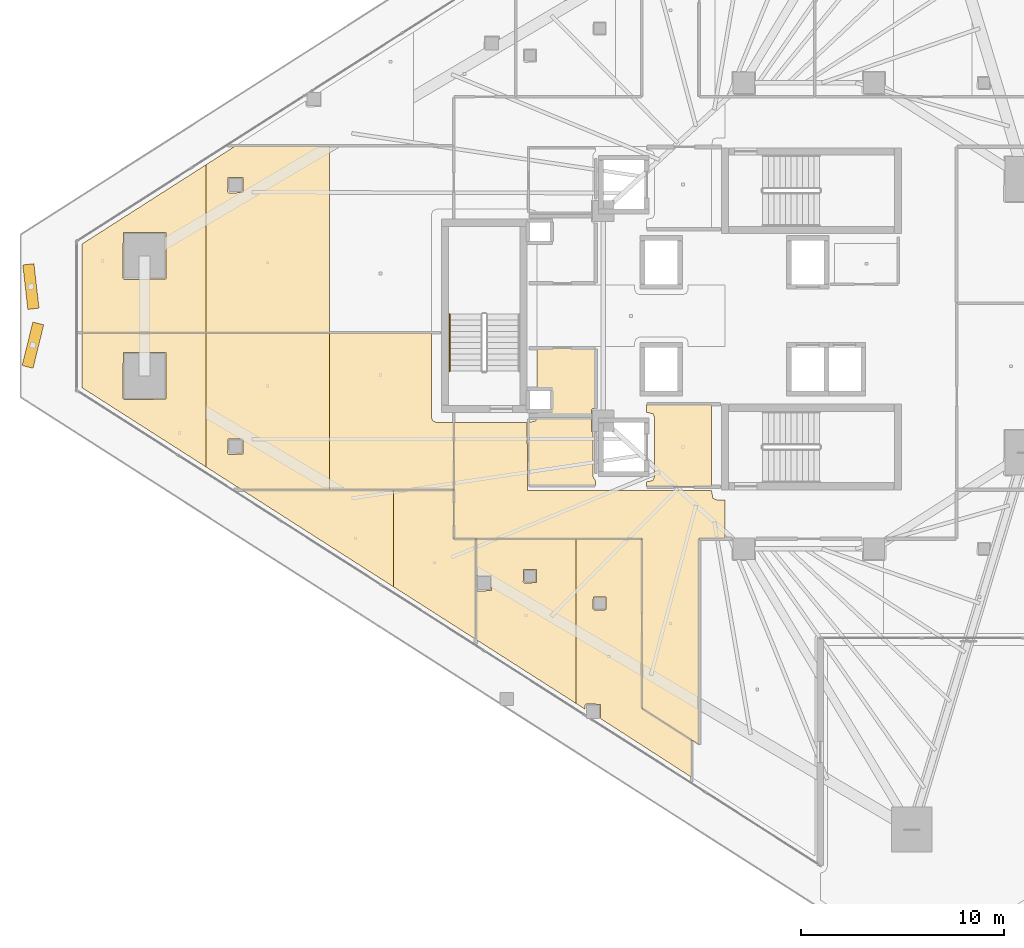
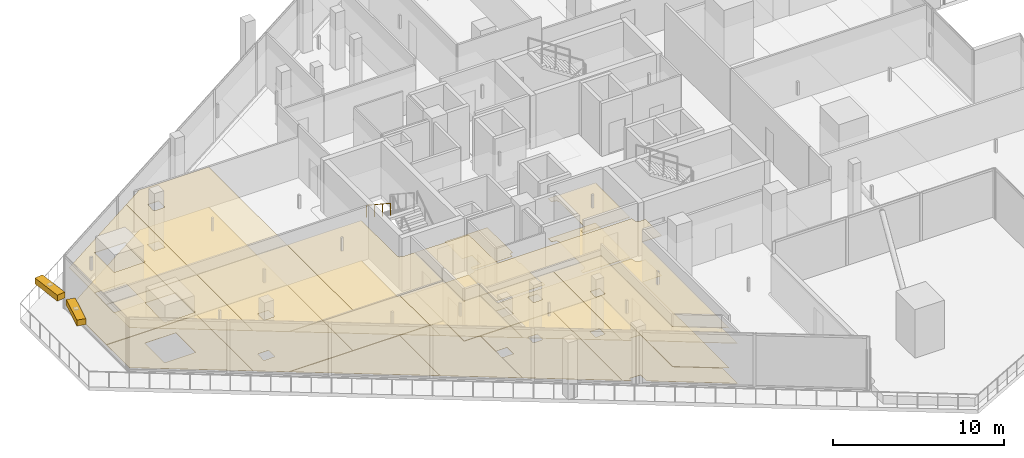
# One storey, part 32 of 38: 24 coverings, 2 shading devices, 1 railing.
"""IFC4 building model written with IfcOpenShell, lengths in metres."""

from ifc_helpers import new_model, si_unit, direction, frame, origin, origin_2d, place, context, subcontext, project, spatial, polyline, rectangle, circle, outline, extrude, material, layer, layer_set, type_object, element, save


model = new_model("IFC4")

# Units and contexts
model_context = context("Model", 3, precision=1e-05, world=origin(), true_north=direction((0.0, 1.0)))
body_context = subcontext(model_context, "Body", "Model", "MODEL_VIEW")
ifc_project = project(units=[si_unit("LENGTHUNIT", "METRE"), si_unit("AREAUNIT", "SQUARE_METRE"), si_unit("VOLUMEUNIT", "CUBIC_METRE"), si_unit("PLANEANGLEUNIT", "RADIAN"), si_unit("MASSUNIT", "GRAM", prefix="KILO")], contexts=[model_context])

# Site, building, storey
site_placement = place(None, origin())
site = spatial("IfcSite", under=ifc_project, at=site_placement, CompositionType="ELEMENT")
building_placement = place(site_placement, origin())
building = spatial("IfcBuilding", under=site, at=building_placement, Name="Qorvath Tower", CompositionType="ELEMENT")
storey_placement = place(building_placement, frame((0.0, 0.0, 158.39990234375)))
storey = spatial("IfcBuildingStorey", under=building, at=storey_placement, Name="L36", CompositionType="ELEMENT", Elevation=158.39990234375)

# Coverings
ifc_material_1 = material(Name="Acoustic mineral fibre ceiling tile", Category="gypsum")
ifc_layer_1 = layer(ifc_material_1, 0.030029296875)
ifc_layer_set_1 = layer_set([ifc_layer_1], Name="COV-CEIL")
covering_type_1 = type_object("IfcCoveringType", Name="COV-CEIL", PredefinedType="CEILING", material=ifc_layer_set_1)
covering_1_placement = place(storey_placement, frame((0.0, 0.0, 2.85009765625)))
element("IfcCovering", 1, at=covering_1_placement, inside=storey, type_object=covering_type_1, Name="L36 Suspended Acoustic Ceiling 002", PredefinedType="CEILING", context=body_context, shape_type="SweptSolid", body=[
    extrude(outline(polyline([(-25.18994140625, -8.39501953125), (-25.18994140625, -4.35498046875), (-28.375, -4.35498046875), (-28.375, -4.739990234375), (-28.063232421875, -4.813232421875), (-27.989990234375, -4.989990234375), (-27.989990234375, -7.909912109375), (-28.063232421875, -8.086669921875), (-28.375, -8.159912109375), (-28.375, -8.39501953125), (-25.18994140625, -8.39501953125)])), origin(), (0.0, 0.0, 1.0), 0.030029296875),
])
covering_2_placement = place(storey_placement, frame((0.0, 0.0, 2.85009765625)))
element("IfcCovering", 2, at=covering_2_placement, inside=storey, type_object=covering_type_1, Name="L36 Suspended Acoustic Ceiling 009", PredefinedType="CEILING", context=body_context, shape_type="SweptSolid", body=[
    extrude(outline(polyline([(-24.521484375, -10.9453125), (-24.521484375, -9.0400390625), (-24.93994140625, -9.0400390625), (-25.11669921875, -8.966796875), (-25.18994140625, -8.57421875), (-34.219970703125, -8.5849609375), (-34.251220703125, -5.239990234375), (-37.844970703125, -5.239990234375), (-37.844970703125, -10.945068359375), (-28.596435546875, -10.946533203125), (-28.594970703125, -19.284423828125), (-25.804931640625, -21.067626953125), (-25.803466796875, -10.946533203125), (-24.521484375, -10.9453125)])), origin(), (0.0, 0.0, 1.0), 0.030029296875),
])
covering_3_placement = place(storey_placement, frame((0.0, 0.0, 2.85009765625)))
element("IfcCovering", 3, at=covering_3_placement, inside=storey, type_object=covering_type_1, Name="L36 Suspended Acoustic Ceiling 022", PredefinedType="CEILING", context=body_context, shape_type="SweptSolid", body=[
    extrude(outline(polyline([(-40.820068359375, -13.310546875), (-40.820068359375, -8.554931640625), (-48.2607421875, -8.554931640625), (-40.820068359375, -13.310546875)])), origin(), (0.0, 0.0, 1.0), 0.030029296875),
])
covering_4_placement = place(storey_placement, frame((0.0, 0.0, 2.85009765625)))
element("IfcCovering", 4, at=covering_4_placement, inside=storey, type_object=covering_type_1, Name="L36 Suspended Acoustic Ceiling 023", PredefinedType="CEILING", context=body_context, shape_type="SweptSolid", body=[
    extrude(outline(polyline([(-37.861572265625, -10.96142578125), (-37.863037109375, -8.554931640625), (-40.820068359375, -8.554931640625), (-40.820068359375, -13.310546875), (-36.773193359375, -15.897216796875), (-36.773193359375, -10.962890625), (-37.861572265625, -10.96142578125)])), origin(), (0.0, 0.0, 1.0), 0.030029296875),
])
covering_5_placement = place(storey_placement, frame((0.0, 0.0, 2.85009765625)))
element("IfcCovering", 5, at=covering_5_placement, inside=storey, type_object=covering_type_1, Name="L36 Suspended Acoustic Ceiling 024", PredefinedType="CEILING", context=body_context, shape_type="SweptSolid", body=[
    extrude(outline(polyline([(-36.755126953125, -10.962890625), (-36.755126953125, -15.90869140625), (-31.852783203125, -19.041748046875), (-31.852783203125, -10.962890625), (-36.755126953125, -10.962890625)]), holes=[polyline([(-34.439208984375, -13.0673828125), (-34.421630859375, -12.47509765625), (-33.786865234375, -12.47509765625), (-33.786865234375, -13.10986328125), (-34.379150390625, -13.12744140625), (-34.439208984375, -13.0673828125)]), polyline([(-36.749755859375, -13.46044921875), (-36.732177734375, -12.76806640625), (-35.997314453125, -12.76806640625), (-35.997314453125, -13.5029296875), (-36.689697265625, -13.5205078125), (-36.749755859375, -13.46044921875)])]), origin(), (0.0, 0.0, 1.0), 0.030029296875),
])
covering_6_placement = place(storey_placement, frame((0.0, 0.0, 2.85009765625)))
element("IfcCovering", 6, at=covering_6_placement, inside=storey, type_object=covering_type_1, Name="L36 Suspended Acoustic Ceiling 025", PredefinedType="CEILING", context=body_context, shape_type="SweptSolid", body=[
    extrude(outline(polyline([(-31.852783203125, -10.962890625), (-31.852783203125, -19.041748046875), (-31.401123046875, -19.33056640625), (-31.401123046875, -19.135498046875), (-31.341064453125, -19.075439453125), (-30.648681640625, -19.093017578125), (-30.635498046875, -19.7958984375), (-26.166259765625, -22.67626953125), (-26.166259765625, -20.858154296875), (-28.613037109375, -19.29150390625), (-28.613037109375, -10.962890625), (-31.852783203125, -10.962890625)]), holes=[polyline([(-31.01220703125, -14.3994140625), (-30.99462890625, -13.806884765625), (-30.35986328125, -13.806884765625), (-30.35986328125, -14.441650390625), (-30.9521484375, -14.459228515625), (-31.01220703125, -14.3994140625)])]), origin(), (0.0, 0.0, 1.0), 0.030029296875),
])
covering_7_placement = place(storey_placement, frame((0.0, 0.0, 2.85009765625)))
element("IfcCovering", 7, at=covering_7_placement, inside=storey, type_object=covering_type_1, Name="L36 Suspended Acoustic Ceiling 035", PredefinedType="CEILING", context=body_context, shape_type="SweptSolid", body=[
    extrude(outline(polyline([(-50.039306640625, -7.418212890625), (-50.039306640625, -0.834228515625), (-56.12744140625, -0.834228515625), (-56.12744140625, -3.527099609375), (-50.039306640625, -7.418212890625)]), holes=[polyline([(-54.109375, -4.05078125), (-54.091796875, -1.808349609375), (-52.007080078125, -1.808349609375), (-52.007080078125, -4.09326171875), (-54.04931640625, -4.11083984375), (-54.109375, -4.05078125)])]), origin(), (0.0, 0.0, 1.0), 0.030029296875),
])
covering_8_placement = place(storey_placement, frame((0.0, 0.0, 2.85009765625)))
element("IfcCovering", 8, at=covering_8_placement, inside=storey, type_object=covering_type_1, Name="L36 Suspended Acoustic Ceiling 036", PredefinedType="CEILING", context=body_context, shape_type="SweptSolid", body=[
    extrude(outline(polyline([(-43.951171875, -8.537109375), (-43.951171875, -0.834228515625), (-50.039306640625, -0.834228515625), (-50.039306640625, -7.418212890625), (-48.288818359375, -8.537109375), (-43.951171875, -8.537109375)]), holes=[polyline([(-48.96337890625, -6.74951171875), (-48.94580078125, -6.05712890625), (-48.2109375, -6.05712890625), (-48.2109375, -6.7919921875), (-48.9033203125, -6.8095703125), (-48.96337890625, -6.74951171875)])]), origin(), (0.0, 0.0, 1.0), 0.030029296875),
])
covering_9_placement = place(storey_placement, frame((0.0, 0.0, 2.85009765625)))
element("IfcCovering", 9, at=covering_9_placement, inside=storey, type_object=covering_type_1, Name="L36 Suspended Acoustic Ceiling 037", PredefinedType="CEILING", context=body_context, shape_type="SweptSolid", body=[
    extrude(outline(polyline([(-38.949951171875, -0.834228515625), (-43.951171875, -0.834228515625), (-43.951171875, -8.537109375), (-37.863037109375, -8.537109375), (-37.863037109375, -5.239990234375), (-38.699951171875, -5.239990234375), (-38.876708984375, -5.166748046875), (-38.949951171875, -4.989990234375), (-38.949951171875, -0.834228515625)])), origin(), (0.0, 0.0, 1.0), 0.030029296875),
])
covering_10_placement = place(storey_placement, frame((0.0, 0.0, 2.85009765625)))
element("IfcCovering", 10, at=covering_10_placement, inside=storey, type_object=covering_type_1, Name="L36 Suspended Acoustic Ceiling 038", PredefinedType="CEILING", context=body_context, shape_type="SweptSolid", body=[
    extrude(outline(polyline([(-50.039306640625, -0.816162109375), (-50.039306640625, 7.418212890625), (-56.12744140625, 3.527099609375), (-56.12744140625, -0.816162109375), (-50.039306640625, -0.816162109375)]), holes=[polyline([(-54.109375, 1.850830078125), (-54.091796875, 4.09326171875), (-52.007080078125, 4.09326171875), (-52.007080078125, 1.808349609375), (-54.04931640625, 1.790771484375), (-54.109375, 1.850830078125)])]), origin(), (0.0, 0.0, 1.0), 0.030029296875),
])
covering_11_placement = place(storey_placement, frame((0.0, 0.0, 2.85009765625)))
element("IfcCovering", 11, at=covering_11_placement, inside=storey, type_object=covering_type_1, Name="L36 Suspended Acoustic Ceiling 039", PredefinedType="CEILING", context=body_context, shape_type="SweptSolid", body=[
    extrude(outline(polyline([(-43.951171875, -0.816162109375), (-43.951171875, 8.3369140625), (-48.601806640625, 8.3369140625), (-50.039306640625, 7.418212890625), (-50.039306640625, -0.816162109375), (-43.951171875, -0.816162109375)]), holes=[polyline([(-48.96337890625, 6.099609375), (-48.94580078125, 6.7919921875), (-48.2109375, 6.7919921875), (-48.2109375, 6.05712890625), (-48.9033203125, 6.03955078125), (-48.96337890625, 6.099609375)])]), origin(), (0.0, 0.0, 1.0), 0.030029296875),
])
ifc_material_2 = material(Name="Low-VOC modular carpet tile", Category="textile")
ifc_layer_2 = layer(ifc_material_2, 0.014892578125)
ifc_layer_set_2 = layer_set([ifc_layer_2], Name="COV-FLOOR-CPT")
covering_type_2 = type_object("IfcCoveringType", Name="COV-FLOOR-CPT", PredefinedType="FLOORING", material=ifc_layer_set_2)
covering_12_placement = place(storey_placement, origin())
element("IfcCovering", 12, at=covering_12_placement, inside=storey, type_object=covering_type_2, Name="L36 Floor Finish 007", PredefinedType="FLOORING", context=body_context, shape_type="SweptSolid", body=[
    extrude(outline(polyline([(-30.885009765625, -4.56494140625), (-30.885009765625, -1.60498046875), (-33.760009765625, -1.60498046875), (-33.760009765625, -3.636962890625), (-33.08837890625, -3.638427734375), (-33.0869140625, -4.6279296875), (-33.760009765625, -4.633056640625), (-33.760009765625, -4.89501953125), (-31.0849609375, -4.89501953125), (-31.0849609375, -4.625), (-31.02490234375, -4.56494140625), (-30.885009765625, -4.56494140625)])), origin(), (0.0, 0.0, 1.0), 0.01513671875),
])
covering_13_placement = place(storey_placement, origin())
element("IfcCovering", 13, at=covering_13_placement, inside=storey, type_object=covering_type_2, Name="L36 Floor Finish 022", PredefinedType="FLOORING", context=body_context, shape_type="SweptSolid", body=[
    extrude(outline(polyline([(-40.820068359375, -13.310546875), (-40.820068359375, -8.554931640625), (-48.2607421875, -8.554931640625), (-40.820068359375, -13.310546875)])), origin(), (0.0, 0.0, 1.0), 0.01513671875),
])
covering_14_placement = place(storey_placement, origin())
element("IfcCovering", 14, at=covering_14_placement, inside=storey, type_object=covering_type_2, Name="L36 Floor Finish 023", PredefinedType="FLOORING", context=body_context, shape_type="SweptSolid", body=[
    extrude(outline(polyline([(-37.861572265625, -10.96142578125), (-37.863037109375, -8.554931640625), (-40.820068359375, -8.554931640625), (-40.820068359375, -13.310546875), (-36.773193359375, -15.897216796875), (-36.773193359375, -10.962890625), (-37.861572265625, -10.96142578125)])), origin(), (0.0, 0.0, 1.0), 0.01513671875),
])
covering_15_placement = place(storey_placement, origin())
element("IfcCovering", 15, at=covering_15_placement, inside=storey, type_object=covering_type_2, Name="L36 Floor Finish 024", PredefinedType="FLOORING", context=body_context, shape_type="SweptSolid", body=[
    extrude(outline(polyline([(-36.755126953125, -10.962890625), (-36.755126953125, -15.90869140625), (-31.852783203125, -19.041748046875), (-31.852783203125, -10.962890625), (-36.755126953125, -10.962890625)]), holes=[polyline([(-34.439208984375, -13.0673828125), (-34.421630859375, -12.47509765625), (-33.786865234375, -12.47509765625), (-33.786865234375, -13.10986328125), (-34.379150390625, -13.12744140625), (-34.439208984375, -13.0673828125)]), polyline([(-36.749755859375, -13.46044921875), (-36.732177734375, -12.76806640625), (-35.997314453125, -12.76806640625), (-35.997314453125, -13.5029296875), (-36.689697265625, -13.5205078125), (-36.749755859375, -13.46044921875)])]), origin(), (0.0, 0.0, 1.0), 0.01513671875),
])
covering_16_placement = place(storey_placement, origin())
element("IfcCovering", 16, at=covering_16_placement, inside=storey, type_object=covering_type_2, Name="L36 Floor Finish 025", PredefinedType="FLOORING", context=body_context, shape_type="SweptSolid", body=[
    extrude(outline(polyline([(-31.852783203125, -10.962890625), (-31.852783203125, -19.041748046875), (-31.401123046875, -19.33056640625), (-31.401123046875, -19.135498046875), (-31.341064453125, -19.075439453125), (-30.648681640625, -19.093017578125), (-30.635498046875, -19.7958984375), (-26.166259765625, -22.67626953125), (-26.166259765625, -20.858154296875), (-28.613037109375, -19.29150390625), (-28.613037109375, -10.962890625), (-31.852783203125, -10.962890625)]), holes=[polyline([(-31.01220703125, -14.3994140625), (-30.99462890625, -13.806884765625), (-30.35986328125, -13.806884765625), (-30.35986328125, -14.441650390625), (-30.9521484375, -14.459228515625), (-31.01220703125, -14.3994140625)])]), origin(), (0.0, 0.0, 1.0), 0.01513671875),
])
covering_17_placement = place(storey_placement, origin())
element("IfcCovering", 17, at=covering_17_placement, inside=storey, type_object=covering_type_2, Name="L36 Floor Finish 035", PredefinedType="FLOORING", context=body_context, shape_type="SweptSolid", body=[
    extrude(outline(polyline([(-50.039306640625, -7.418212890625), (-50.039306640625, -0.834228515625), (-56.12744140625, -0.834228515625), (-56.12744140625, -3.527099609375), (-50.039306640625, -7.418212890625)]), holes=[polyline([(-54.109375, -4.05078125), (-54.091796875, -1.808349609375), (-52.007080078125, -1.808349609375), (-52.007080078125, -4.09326171875), (-54.04931640625, -4.11083984375), (-54.109375, -4.05078125)])]), origin(), (0.0, 0.0, 1.0), 0.01513671875),
])
covering_18_placement = place(storey_placement, origin())
element("IfcCovering", 18, at=covering_18_placement, inside=storey, type_object=covering_type_2, Name="L36 Floor Finish 036", PredefinedType="FLOORING", context=body_context, shape_type="SweptSolid", body=[
    extrude(outline(polyline([(-43.951171875, -8.537109375), (-43.951171875, -0.834228515625), (-50.039306640625, -0.834228515625), (-50.039306640625, -7.418212890625), (-48.288818359375, -8.537109375), (-43.951171875, -8.537109375)]), holes=[polyline([(-48.96337890625, -6.74951171875), (-48.94580078125, -6.05712890625), (-48.2109375, -6.05712890625), (-48.2109375, -6.7919921875), (-48.9033203125, -6.8095703125), (-48.96337890625, -6.74951171875)])]), origin(), (0.0, 0.0, 1.0), 0.01513671875),
])
covering_19_placement = place(storey_placement, origin())
element("IfcCovering", 19, at=covering_19_placement, inside=storey, type_object=covering_type_2, Name="L36 Floor Finish 037", PredefinedType="FLOORING", context=body_context, shape_type="SweptSolid", body=[
    extrude(outline(polyline([(-38.949951171875, -0.834228515625), (-43.951171875, -0.834228515625), (-43.951171875, -8.537109375), (-37.863037109375, -8.537109375), (-37.863037109375, -5.239990234375), (-38.699951171875, -5.239990234375), (-38.876708984375, -5.166748046875), (-38.949951171875, -4.989990234375), (-38.949951171875, -0.834228515625)])), origin(), (0.0, 0.0, 1.0), 0.01513671875),
])
covering_20_placement = place(storey_placement, origin())
element("IfcCovering", 20, at=covering_20_placement, inside=storey, type_object=covering_type_2, Name="L36 Floor Finish 038", PredefinedType="FLOORING", context=body_context, shape_type="SweptSolid", body=[
    extrude(outline(polyline([(-50.039306640625, -0.816162109375), (-50.039306640625, 7.418212890625), (-56.12744140625, 3.527099609375), (-56.12744140625, -0.816162109375), (-50.039306640625, -0.816162109375)]), holes=[polyline([(-54.109375, 1.850830078125), (-54.091796875, 4.09326171875), (-52.007080078125, 4.09326171875), (-52.007080078125, 1.808349609375), (-54.04931640625, 1.790771484375), (-54.109375, 1.850830078125)])]), origin(), (0.0, 0.0, 1.0), 0.01513671875),
])
covering_21_placement = place(storey_placement, origin())
element("IfcCovering", 21, at=covering_21_placement, inside=storey, type_object=covering_type_2, Name="L36 Floor Finish 039", PredefinedType="FLOORING", context=body_context, shape_type="SweptSolid", body=[
    extrude(outline(polyline([(-43.951171875, -0.816162109375), (-43.951171875, 8.3369140625), (-48.601806640625, 8.3369140625), (-50.039306640625, 7.418212890625), (-50.039306640625, -0.816162109375), (-43.951171875, -0.816162109375)]), holes=[polyline([(-48.96337890625, 6.099609375), (-48.94580078125, 6.7919921875), (-48.2109375, 6.7919921875), (-48.2109375, 6.05712890625), (-48.9033203125, 6.03955078125), (-48.96337890625, 6.099609375)])]), origin(), (0.0, 0.0, 1.0), 0.01513671875),
])
ifc_material_3 = material(Name="Polished epoxy terrazzo flooring", Category="concrete")
ifc_layer_3 = layer(ifc_material_3, 0.02001953125)
ifc_layer_set_3 = layer_set([ifc_layer_3], Name="COV-FLOOR-TRZ")
covering_type_3 = type_object("IfcCoveringType", Name="COV-FLOOR-TRZ", PredefinedType="FLOORING", material=ifc_layer_set_3)
covering_22_placement = place(storey_placement, origin())
element("IfcCovering", 22, at=covering_22_placement, inside=storey, type_object=covering_type_3, Name="L36 Floor Finish 002", PredefinedType="FLOORING", context=body_context, shape_type="SweptSolid", body=[
    extrude(outline(polyline([(-25.18994140625, -8.39501953125), (-25.18994140625, -4.35498046875), (-28.375, -4.35498046875), (-28.375, -4.739990234375), (-28.063232421875, -4.813232421875), (-27.989990234375, -4.989990234375), (-27.989990234375, -7.909912109375), (-28.063232421875, -8.086669921875), (-28.375, -8.159912109375), (-28.375, -8.39501953125), (-25.18994140625, -8.39501953125)])), origin(), (0.0, 0.0, 1.0), 0.01513671875),
])
covering_23_placement = place(storey_placement, origin())
element("IfcCovering", 23, at=covering_23_placement, inside=storey, type_object=covering_type_3, Name="L36 Floor Finish 006", PredefinedType="FLOORING", context=body_context, shape_type="SweptSolid", body=[
    extrude(outline(polyline([(-31.0849609375, -5.054931640625), (-33.786865234375, -5.054931640625), (-33.833251953125, -5.166748046875), (-34.175048828125, -5.239990234375), (-34.175048828125, -8.344970703125), (-30.885009765625, -8.344970703125), (-30.885009765625, -8.108154296875), (-31.010009765625, -7.909912109375), (-31.010009765625, -5.735107421875), (-31.0849609375, -5.675048828125), (-31.0849609375, -5.054931640625)])), origin(), (0.0, 0.0, 1.0), 0.01513671875),
])
covering_24_placement = place(storey_placement, origin())
element("IfcCovering", 24, at=covering_24_placement, inside=storey, type_object=covering_type_3, Name="L36 Floor Finish 009", PredefinedType="FLOORING", context=body_context, shape_type="SweptSolid", body=[
    extrude(outline(polyline([(-24.521484375, -10.9453125), (-24.521484375, -9.0400390625), (-24.93994140625, -9.0400390625), (-25.11669921875, -8.966796875), (-25.18994140625, -8.57421875), (-34.219970703125, -8.5849609375), (-34.251220703125, -5.239990234375), (-37.844970703125, -5.239990234375), (-37.844970703125, -10.945068359375), (-28.596435546875, -10.946533203125), (-28.594970703125, -19.284423828125), (-25.804931640625, -21.067626953125), (-25.803466796875, -10.946533203125), (-24.521484375, -10.9453125)])), origin(), (0.0, 0.0, 1.0), 0.01513671875),
])

# Railing
ifc_material_4 = material(Name="Brushed stainless steel AISI 304", Category="steel")
railing_type = type_object("IfcRailingType", Name="RL-STR-HND", PredefinedType="HANDRAIL", material=ifc_material_4)
railing_placement = place(storey_placement, frame((-38.06005859375, 0.080078125, 2.209228515625)))
element("IfcRailing", 25, at=railing_placement, inside=storey, type_object=railing_type, Name="L36 TS3 stair handrail 2", PredefinedType="HANDRAIL", context=body_context, shape_type="SweptSolid", body=[
    extrude(circle(Radius=0.02392578125, at=origin_2d()), frame((0.0, 0.0, 0.8759765625), z_axis=(0.0, -0.835597507184, 0.549342157483), x_axis=(1.0, 0.0, 0.0)), (0.0, 0.0, 1.0), 3.35107421875),
    extrude(circle(Radius=0.02099609375, at=origin_2d()), origin(), (0.0, 0.0, 1.0), 0.851806640625),
    extrude(circle(Radius=0.02099609375, at=origin_2d()), frame((0.0, -0.933349609375, 0.613525390625)), (0.0, 0.0, 1.0), 0.851806640625),
    extrude(circle(Radius=0.02099609375, at=origin_2d()), frame((0.0, -1.86669921875, 1.227294921875)), (0.0, 0.0, 1.0), 0.851806640625),
    extrude(circle(Radius=0.02099609375, at=origin_2d()), frame((0.0, -2.800048828125, 1.8408203125)), (0.0, 0.0, 1.0), 0.851806640625),
])

# Shading devices
ifc_material_5 = material(Name="Anodised bronze-champagne aluminium", Category="aluminium")
shading_device_type = type_object("IfcShadingDeviceType", Name="SD-LOUVRE", PredefinedType="JALOUSIE", material=ifc_material_5)
for number, where, z_axis, x_axis, name in (
    (26, (-58.634033203125, 1.440185546875, 3.360107421875), (0.0, 0.0, 1.0), (0.113312462015, -0.993559402327, 0.0), "Sinusoidal Wave Louvre Blade L36-01"),
    (27, (-58.53369140625, -1.440185546875, 3.360107421875), (0.0, 0.0, 1.0), (-0.238443624258, -0.971156340684, 0.0), "Sinusoidal Wave Louvre Blade L36-02"),
):
    element("IfcShadingDevice", number, at=place(storey_placement, frame(where, z_axis=z_axis, x_axis=x_axis)), inside=storey, type_object=shading_device_type, Name=name, PredefinedType="NOTDEFINED", context=body_context, shape_type="SweptSolid", body=[
        extrude(rectangle(XDim=2.199951171875, YDim=0.550048828125, at=origin_2d()), origin(), (0.0, 0.0, 1.0), 0.419921875),
    ])

save(model, "model.ifc")
